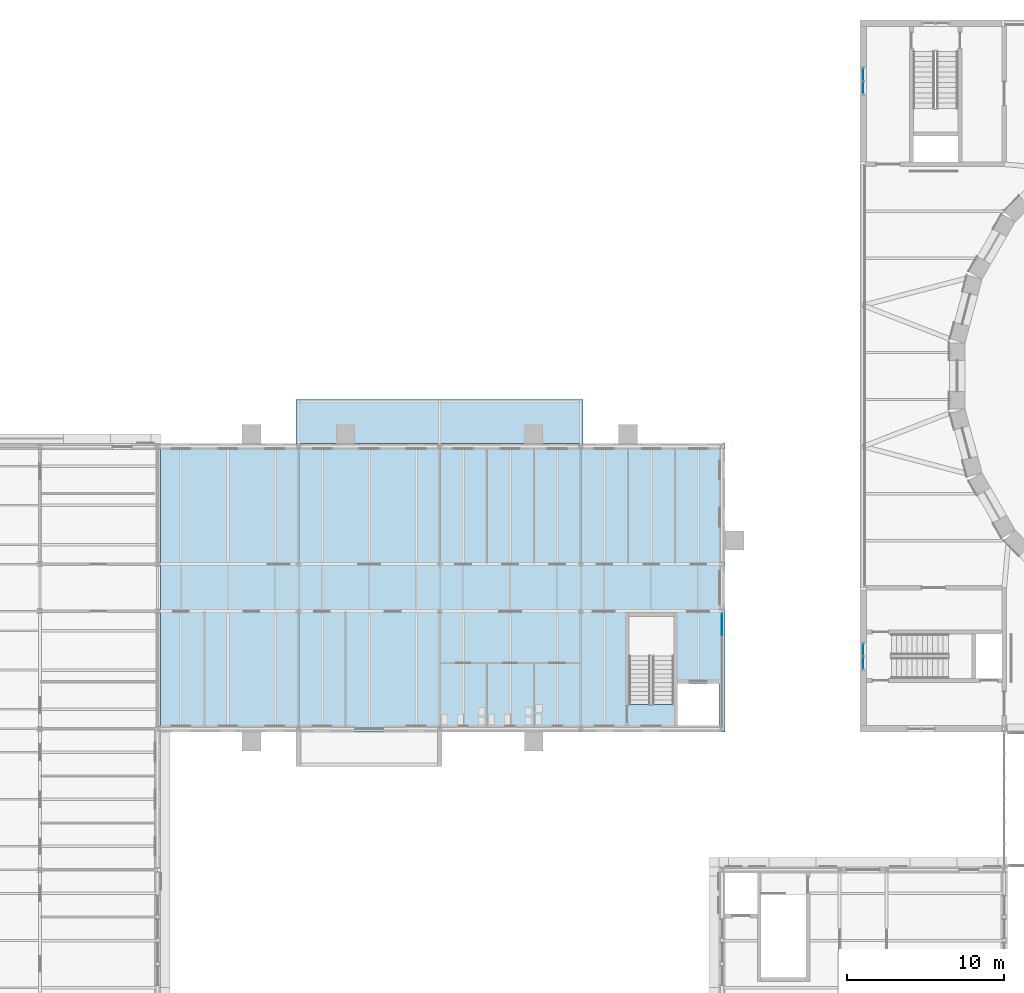
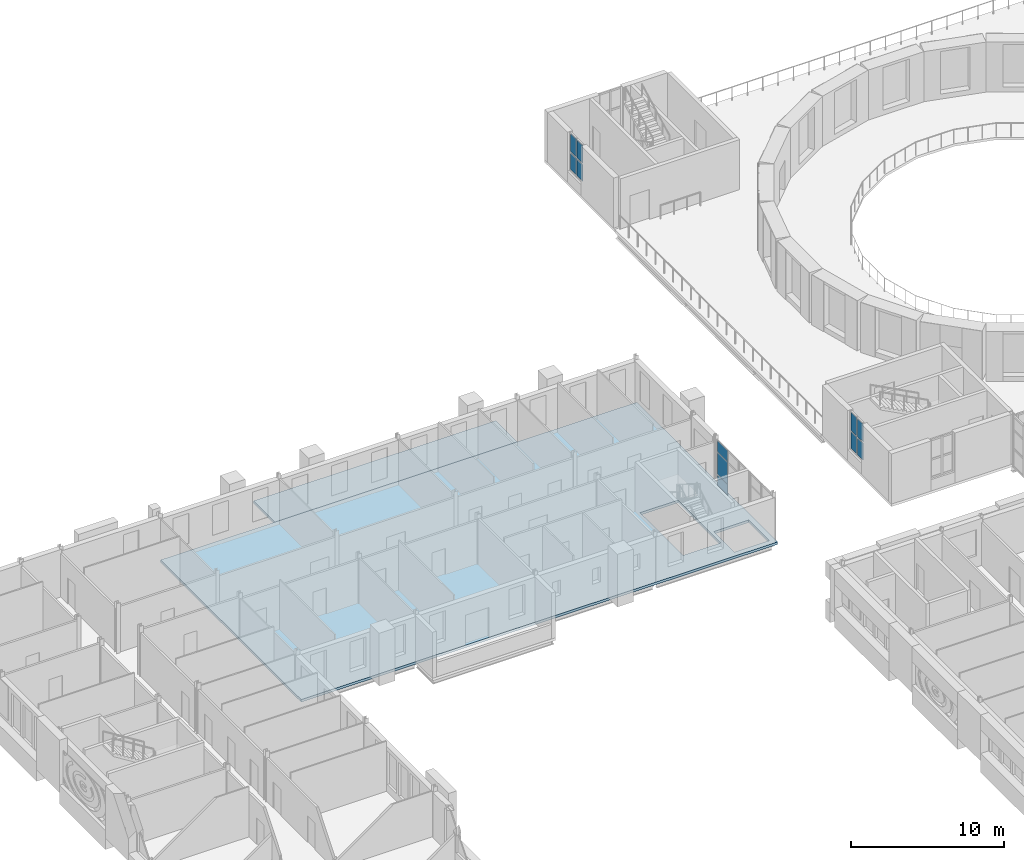
# One storey, part 92 of 154: 11 plates, 2 slabs, 3 elements without a shape of their own.
"""IFC4 building model written with IfcOpenShell, lengths in metres."""

import ifcopenshell
import ifcopenshell.guid

model = None  # the IFC model being written
_history = None  # IfcOwnerHistory: only IFC2X3 demands one
_inside = {}  # id of a spatial element -> (the spatial element, [elements in it])
_under = {}  # id of a project, library or spatial element -> (it, [spatial elements below it])
_declared = {}  # id of a project -> (the project, [libraries it declares])
_typed = {}  # id of a type object -> (the type object, [elements of that type])
_made_of = {}  # id of a material, layer set ... -> (it, [elements and type objects made of it])


def new_model(schema):
    """Start an empty IFC model of exactly this schema.

    Asked for "IFC4X3", IfcOpenShell would pick the latest addendum, in which some entities
    have other attributes; the version numbers below select the first issue.
    IFC2X3 requires an IfcOwnerHistory on every rooted entity: one is made here for all.
    """
    global model, _history
    if schema == "IFC4X3":
        model = ifcopenshell.file(schema_version=(4, 3, 0, 0))
    else:
        model = ifcopenshell.file(schema=schema)
    _inside.clear()
    _under.clear()
    _declared.clear()
    _typed.clear()
    _made_of.clear()
    _history = None
    if model.schema == "IFC2X3":
        org = make("IfcOrganization", Name="unknown")
        user = make(
            "IfcPersonAndOrganization",
            ThePerson=make("IfcPerson", FamilyName="unknown"),
            TheOrganization=org,
        )
        app = make(
            "IfcApplication",
            ApplicationDeveloper=org,
            Version="unknown",
            ApplicationFullName="unknown",
            ApplicationIdentifier="unknown",
        )
        _history = make(
            "IfcOwnerHistory",
            OwningUser=user,
            OwningApplication=app,
            ChangeAction="ADDED",
            CreationDate=0,
        )
    return model


def make(cls, **values):
    """One entity of the class cls with the attributes given. An attribute that is None is left unset."""
    return model.create_entity(
        cls, **{name: value for name, value in values.items() if value is not None}
    )


def rooted(cls, **values):
    """An entity with a GlobalId (a new one), such as an element, a storey or a relation."""
    return make(cls, GlobalId=ifcopenshell.guid.new(), OwnerHistory=_history, **values)


def si_unit(unit_type, name, prefix=None):
    """IfcSIUnit, for example si_unit("LENGTHUNIT", "METRE", prefix="MILLI")."""
    return make("IfcSIUnit", UnitType=unit_type, Prefix=prefix, Name=name)


def assignment(units):
    """IfcUnitAssignment: the units of a project."""
    return None if units is None else make("IfcUnitAssignment", Units=units)


def point(xyz):
    """IfcCartesianPoint."""
    return None if xyz is None else make("IfcCartesianPoint", Coordinates=xyz)


def direction(xyz):
    """IfcDirection."""
    return None if xyz is None else make("IfcDirection", DirectionRatios=xyz)


def frame(location, z_axis=None, x_axis=None):
    """IfcAxis2Placement3D, a coordinate frame: its origin and axes. An axis left out is left unset."""
    return make(
        "IfcAxis2Placement3D",
        Location=point(location),
        Axis=direction(z_axis),
        RefDirection=direction(x_axis),
    )


def frame_2d(location, x_axis=None):
    """IfcAxis2Placement2D, a coordinate frame in the plane: its origin and x axis."""
    return make(
        "IfcAxis2Placement2D", Location=point(location), RefDirection=direction(x_axis)
    )


def origin():
    """The frame at (0, 0, 0) with its axes left unset."""
    return frame((0.0, 0.0, 0.0))


def origin_2d():
    """The frame at (0, 0) in the plane with its x axis left unset."""
    return frame_2d((0.0, 0.0))


def place(relative_to, where):
    """IfcLocalPlacement: puts the frame where relative to a parent placement (None: the world)."""
    return make(
        "IfcLocalPlacement", PlacementRelTo=relative_to, RelativePlacement=where
    )


def context(
    kind, dimensions, precision=None, world=None, true_north=None, identifier=None
):
    """IfcGeometricRepresentationContext, for example the 3D "Model" context."""
    return make(
        "IfcGeometricRepresentationContext",
        ContextIdentifier=identifier,
        ContextType=kind,
        CoordinateSpaceDimension=dimensions,
        Precision=precision,
        WorldCoordinateSystem=world,
        TrueNorth=true_north,
    )


def subcontext(parent, identifier, kind, view, scale=None):
    """IfcGeometricRepresentationSubContext, for example "Body" below "Model"."""
    return make(
        "IfcGeometricRepresentationSubContext",
        ContextIdentifier=identifier,
        ContextType=kind,
        ParentContext=parent,
        TargetScale=scale,
        TargetView=view,
    )


def project(units=None, contexts=None):
    """IfcProject with its units and contexts."""
    return rooted(
        "IfcProject",
        Name="project",
        RepresentationContexts=contexts,
        UnitsInContext=assignment(units),
    )


def spatial(cls, under=None, at=None, **own):
    """A site, building, storey or space (cls), placed at a placement, below another one or the project."""
    s = rooted(cls, ObjectPlacement=at, **own)
    if under is not None:
        _under.setdefault(under.id(), (under, []))[1].append(s)
    return s


def polyline(points):
    """IfcPolyline through the points."""
    return make("IfcPolyline", Points=[point(p) for p in points])


def profile(cls, at=None, kind="AREA", **sizes):
    """A parametric profile (cls). Its sizes go by their IFC names, for example OverallWidth=200.0."""
    return make(cls, ProfileType=kind, Position=at, **sizes)


def rectangle(**sizes):
    """IfcRectangleProfileDef."""
    return profile("IfcRectangleProfileDef", **sizes)


def outline(outer, holes=None, kind="AREA"):
    """IfcArbitraryClosedProfileDef: a profile drawn as a closed curve; with holes, ...WithVoids."""
    if holes is None:
        return make("IfcArbitraryClosedProfileDef", ProfileType=kind, OuterCurve=outer)
    return make(
        "IfcArbitraryProfileDefWithVoids",
        ProfileType=kind,
        OuterCurve=outer,
        InnerCurves=holes,
    )


def extrude(swept, where, along, depth):
    """IfcExtrudedAreaSolid: the profile swept, set in the frame where, extruded along a direction by depth."""
    return make(
        "IfcExtrudedAreaSolid",
        SweptArea=swept,
        Position=where,
        ExtrudedDirection=direction(along),
        Depth=depth,
    )


def shape(context_of_items, identifier, shape_type, items):
    """IfcShapeRepresentation: the items that make up one representation, for example the "Body"."""
    return make(
        "IfcShapeRepresentation",
        ContextOfItems=context_of_items,
        RepresentationIdentifier=identifier,
        RepresentationType=shape_type,
        Items=items,
    )


def material(Name=None, Category=None):
    """IfcMaterial."""
    return make("IfcMaterial", Name=Name, Category=Category)


def layer(
    of_material, thickness, ventilated=None, Name=None, Category=None, Priority=None
):
    """IfcMaterialLayer: one layer of a wall or slab, of a material (None: an air gap)."""
    return make(
        "IfcMaterialLayer",
        Material=of_material,
        LayerThickness=thickness,
        IsVentilated=ventilated,
        Name=Name,
        Category=Category,
        Priority=Priority,
    )


def layer_set(layers, Name=None):
    """IfcMaterialLayerSet."""
    return make("IfcMaterialLayerSet", MaterialLayers=layers, LayerSetName=Name)


def made_of(thing, what):
    """Note that an element or type object is made of a material, layer set ...; save() writes the relation."""
    if what is not None:
        _made_of.setdefault(what.id(), (what, []))[1].append(thing)
    return thing


def type_object(cls, material=None, **own):
    """A type object (cls), such as IfcWallType, which elements share."""
    return made_of(rooted(cls, **own), material)


def element(
    cls,
    number,
    at=None,
    inside=None,
    cuts=None,
    type_object=None,
    material=None,
    context=None,
    identifier="Body",
    shape_type=None,
    held_by="IfcProductDefinitionShape",
    body=None,
    shapes=None,
    **own,
):
    """One element of the class cls, such as IfcWall. Its Tag is "e" and its number.

    at: its placement. inside: the storey or other place that contains it. cuts: it is an
    opening in that element (IfcRelVoidsElement). A single representation is given by context,
    identifier, shape_type and body (its items); several are given by shapes. held_by: the class
    of the entity that holds the representations. save() writes the other relations.
    """
    e = rooted(cls, Tag="e%d" % number, ObjectPlacement=at, **own)
    if body is not None:
        shapes = [shape(context, identifier, shape_type, body)]
    if shapes is not None:
        e.Representation = make(held_by, Representations=shapes)
    if inside is not None:
        _inside.setdefault(inside.id(), (inside, []))[1].append(e)
    if cuts is not None:
        rooted(
            "IfcRelVoidsElement", RelatingBuildingElement=cuts, RelatedOpeningElement=e
        )
    if type_object is not None:
        _typed.setdefault(type_object.id(), (type_object, []))[1].append(e)
    return made_of(e, material)


def aggregate(whole, parts):
    """IfcRelAggregates: a whole, such as a stair, and the parts it consists of."""
    return rooted("IfcRelAggregates", RelatingObject=whole, RelatedObjects=parts)


def save(model, path):
    """Write the relations noted so far, then the file.

    IfcRelAggregates (storeys below a building ...), IfcRelContainedInSpatialStructure (elements
    in a storey), IfcRelDefinesByType, IfcRelAssociatesMaterial and IfcRelDeclares: one each for
    every whole, place, type object, material and project.
    """
    for whole, parts in _under.values():
        aggregate(whole, parts)
    for where, things in _inside.values():
        rooted(
            "IfcRelContainedInSpatialStructure",
            RelatedElements=things,
            RelatingStructure=where,
        )
    for kind, things in _typed.values():
        rooted("IfcRelDefinesByType", RelatedObjects=things, RelatingType=kind)
    for what, things in _made_of.values():
        rooted("IfcRelAssociatesMaterial", RelatedObjects=things, RelatingMaterial=what)
    for by, libraries in _declared.values():
        rooted("IfcRelDeclares", RelatingContext=by, RelatedDefinitions=libraries)
    model.write(path)


model = new_model("IFC4")

# Units and contexts
model_context = context("Model", 3, precision=1e-05, world=origin(), true_north=direction((0.0, 1.0)))
body_context = subcontext(model_context, "Body", "Model", "MODEL_VIEW")
ifc_project = project(units=[si_unit("LENGTHUNIT", "METRE"), si_unit("AREAUNIT", "SQUARE_METRE"), si_unit("VOLUMEUNIT", "CUBIC_METRE"), si_unit("PLANEANGLEUNIT", "RADIAN"), si_unit("MASSUNIT", "GRAM", prefix="KILO")], contexts=[model_context])

# Site, building, storey
site_placement = place(None, origin())
site = spatial("IfcSite", under=ifc_project, at=site_placement, CompositionType="ELEMENT")
building_placement = place(site_placement, origin())
building = spatial("IfcBuilding", under=site, at=building_placement, Name="Golden Quay Civic Hall", CompositionType="ELEMENT")
storey_placement = place(building_placement, frame((0.0, 0.0, 14.39990234375)))
storey = spatial("IfcBuildingStorey", under=building, at=storey_placement, Name="L03", CompositionType="ELEMENT", Elevation=14.39990234375)

# Slab
ifc_material_1 = material(Name="Concrete C35/45", Category="concrete")
ifc_layer_1 = layer(ifc_material_1, 0.199951171875)
ifc_layer_set_1 = layer_set([ifc_layer_1], Name="Composite floor 200")
slab_type_1 = type_object("IfcSlabType", Name="Composite floor 200", PredefinedType="FLOOR", material=ifc_layer_set_1)
slab_1_placement = place(storey_placement, frame((0.0, 0.0, -0.199951171875)))
element("IfcSlab", 1, at=slab_1_placement, inside=storey, type_object=slab_type_1, Name="NW floor L03", PredefinedType="FLOOR", context=body_context, shape_type="SweptSolid", body=[
    extrude(outline(polyline([(18.199951171875, 62.800048828125), (18.199951171875, 81.199951171875), (54.199951171875, 81.199951171875), (54.199951171875, 62.800048828125), (18.199951171875, 62.800048828125)]), holes=[polyline([(48.074951171875, 70.175048828125), (48.074951171875, 64.554931640625), (50.925048828125, 64.554931640625), (50.925048828125, 70.175048828125), (48.074951171875, 70.175048828125)]), polyline([(53.800048828125, 65.89990234375), (51.175048828125, 65.89990234375), (51.175048828125, 63.199951171875), (53.800048828125, 63.199951171875), (53.800048828125, 65.89990234375)])]), origin(), (0.0, 0.0, 1.0), 0.199951171875),
])

# Curtain wall, plates
ifc_material_2 = material(Name="Glass, laminated double glazed", Category="glass")
ifc_layer_2 = layer(ifc_material_2, 0.199951171875)
ifc_layer_set_2 = layer_set([ifc_layer_2], Name="Glazed core strip curtain wall")
curtain_wall_type_1 = type_object("IfcCurtainWallType", Name="Glazed core strip curtain wall", PredefinedType="NOTDEFINED", material=ifc_layer_set_2)
curtain_wall_1_placement = place(storey_placement, origin())
curtain_wall_1 = element("IfcCurtainWall", 2, at=curtain_wall_1_placement, inside=storey, type_object=curtain_wall_type_1, Name="Glazed core strip curtain wall L03 2", PredefinedType="NOTDEFINED")
ifc_material_3 = material(Name="Glass, laminated double glazed", Category="glass")
ifc_layer_3 = layer(ifc_material_3, 0.028076171875)
ifc_layer_set_3 = layer_set([ifc_layer_3], Name="Double glazed curtain wall panel 28")
plate_type_1 = type_object("IfcPlateType", Name="Double glazed curtain wall panel 28", PredefinedType="CURTAIN_PANEL", material=ifc_layer_set_3)
plate_1_placement = place(storey_placement, frame((54.0, 69.64306640625, 0.06005859375), z_axis=(0.0, 0.0, 1.0), x_axis=(0.0, -1.0, 0.0)))
plate_1 = element("IfcPlate", 3, at=plate_1_placement, type_object=plate_type_1, Name="CW2 panel 1.1", PredefinedType="CURTAIN_PANEL", context=body_context, shape_type="SweptSolid", body=[
    extrude(rectangle(XDim=1.364013671875, YDim=0.028076171875, at=origin_2d()), origin(), (0.0, 0.0, 1.0), 0.81005859375),
])
plate_2_placement = place(storey_placement, frame((54.0, 69.64306640625, 0.93017578125), z_axis=(0.0, 0.0, 1.0), x_axis=(0.0, -1.0, 0.0)))
plate_2 = element("IfcPlate", 4, at=plate_2_placement, type_object=plate_type_1, Name="CW2 panel 1.2", PredefinedType="CURTAIN_PANEL", context=body_context, shape_type="SweptSolid", body=[
    extrude(rectangle(XDim=1.364013671875, YDim=0.028076171875, at=origin_2d()), origin(), (0.0, 0.0, 1.0), 1.739990234375),
])
plate_3_placement = place(storey_placement, frame((54.0, 69.64306640625, 2.730224609375), z_axis=(0.0, 0.0, 1.0), x_axis=(0.0, -1.0, 0.0)))
plate_3 = element("IfcPlate", 5, at=plate_3_placement, type_object=plate_type_1, Name="CW2 panel 1.3", PredefinedType="CURTAIN_PANEL", context=body_context, shape_type="SweptSolid", body=[
    extrude(rectangle(XDim=1.364013671875, YDim=0.028076171875, at=origin_2d()), origin(), (0.0, 0.0, 1.0), 0.8798828125),
])
aggregate(curtain_wall_1, [plate_1, plate_2, plate_3])

ifc_material_4 = material(Name="Fire-resisting glass and steel", Category="steel")
curtain_wall_type_2 = type_object("IfcCurtainWallType", Name="Fire-resisting glazed stair curtain wall EI 120", PredefinedType="NOTDEFINED", material=ifc_material_4)
curtain_wall_2_placement = place(storey_placement, origin())
curtain_wall_2 = element("IfcCurtainWall", 6, at=curtain_wall_2_placement, inside=storey, type_object=curtain_wall_type_2, Name="CW4 stair curtain wall", PredefinedType="NOTDEFINED")
ifc_material_5 = material(Name="Fire-resisting laminated glass", Category="glass")
ifc_layer_4 = layer(ifc_material_5, 0.0400390625)
ifc_layer_set_4 = layer_set([ifc_layer_4], Name="Fire-resisting glazed stair panel 40")
plate_type_2 = type_object("IfcPlateType", Name="Fire-resisting glazed stair panel 40", PredefinedType="CURTAIN_PANEL", material=ifc_layer_set_4)
plate_4_placement = place(storey_placement, frame((63.0, 67.205078125, 1.02001953125), z_axis=(0.0, 0.0, 1.0), x_axis=(0.0, 1.0, 0.0)))
plate_4 = element("IfcPlate", 7, at=plate_4_placement, type_object=plate_type_2, Name="CW4 panel 1.1", PredefinedType="CURTAIN_PANEL", context=body_context, shape_type="SweptSolid", body=[
    extrude(rectangle(XDim=0.719970703125, YDim=0.0400390625, at=origin_2d()), origin(), (0.0, 0.0, 1.0), 1.320068359375),
])
plate_5_placement = place(storey_placement, frame((63.0, 67.205078125, 2.460205078125), z_axis=(0.0, 0.0, 1.0), x_axis=(0.0, 1.0, 0.0)))
plate_5 = element("IfcPlate", 8, at=plate_5_placement, type_object=plate_type_2, Name="CW4 panel 1.2", PredefinedType="CURTAIN_PANEL", context=body_context, shape_type="SweptSolid", body=[
    extrude(rectangle(XDim=0.719970703125, YDim=0.0400390625, at=origin_2d()), origin(), (0.0, 0.0, 1.0), 1.419921875),
])
plate_6_placement = place(storey_placement, frame((63.0, 68.044921875, 1.02001953125), z_axis=(0.0, 0.0, 1.0), x_axis=(0.0, 1.0, 0.0)))
plate_6 = element("IfcPlate", 9, at=plate_6_placement, type_object=plate_type_2, Name="CW4 panel 2.1", PredefinedType="CURTAIN_PANEL", context=body_context, shape_type="SweptSolid", body=[
    extrude(rectangle(XDim=0.719970703125, YDim=0.0400390625, at=origin_2d()), origin(), (0.0, 0.0, 1.0), 1.320068359375),
])
plate_7_placement = place(storey_placement, frame((63.0, 68.044921875, 2.460205078125), z_axis=(0.0, 0.0, 1.0), x_axis=(0.0, 1.0, 0.0)))
plate_7 = element("IfcPlate", 10, at=plate_7_placement, type_object=plate_type_2, Name="CW4 panel 2.2", PredefinedType="CURTAIN_PANEL", context=body_context, shape_type="SweptSolid", body=[
    extrude(rectangle(XDim=0.719970703125, YDim=0.0400390625, at=origin_2d()), origin(), (0.0, 0.0, 1.0), 1.419921875),
])
aggregate(curtain_wall_2, [plate_4, plate_5, plate_6, plate_7])

curtain_wall_3_placement = place(storey_placement, origin())
curtain_wall_3 = element("IfcCurtainWall", 11, at=curtain_wall_3_placement, inside=storey, type_object=curtain_wall_type_2, Name="CW4 stair curtain wall", PredefinedType="NOTDEFINED")
plate_8_placement = place(storey_placement, frame((63.0, 103.8798828125, 1.02001953125), z_axis=(0.0, 0.0, 1.0), x_axis=(0.0, 1.0, 0.0)))
plate_8 = element("IfcPlate", 12, at=plate_8_placement, type_object=plate_type_2, Name="CW4 panel 1.1", PredefinedType="CURTAIN_PANEL", context=body_context, shape_type="SweptSolid", body=[
    extrude(rectangle(XDim=0.719970703125, YDim=0.0400390625, at=origin_2d()), origin(), (0.0, 0.0, 1.0), 1.320068359375),
])
plate_9_placement = place(storey_placement, frame((63.0, 103.8798828125, 2.460205078125), z_axis=(0.0, 0.0, 1.0), x_axis=(0.0, 1.0, 0.0)))
plate_9 = element("IfcPlate", 13, at=plate_9_placement, type_object=plate_type_2, Name="CW4 panel 1.2", PredefinedType="CURTAIN_PANEL", context=body_context, shape_type="SweptSolid", body=[
    extrude(rectangle(XDim=0.719970703125, YDim=0.0400390625, at=origin_2d()), origin(), (0.0, 0.0, 1.0), 1.419921875),
])
plate_10_placement = place(storey_placement, frame((63.0, 104.719970703125, 1.02001953125), z_axis=(0.0, 0.0, 1.0), x_axis=(0.0, 1.0, 0.0)))
plate_10 = element("IfcPlate", 14, at=plate_10_placement, type_object=plate_type_2, Name="CW4 panel 2.1", PredefinedType="CURTAIN_PANEL", context=body_context, shape_type="SweptSolid", body=[
    extrude(rectangle(XDim=0.719970703125, YDim=0.0400390625, at=origin_2d()), origin(), (0.0, 0.0, 1.0), 1.320068359375),
])
plate_11_placement = place(storey_placement, frame((63.0, 104.719970703125, 2.460205078125), z_axis=(0.0, 0.0, 1.0), x_axis=(0.0, 1.0, 0.0)))
plate_11 = element("IfcPlate", 15, at=plate_11_placement, type_object=plate_type_2, Name="CW4 panel 2.2", PredefinedType="CURTAIN_PANEL", context=body_context, shape_type="SweptSolid", body=[
    extrude(rectangle(XDim=0.719970703125, YDim=0.0400390625, at=origin_2d()), origin(), (0.0, 0.0, 1.0), 1.419921875),
])
aggregate(curtain_wall_3, [plate_8, plate_9, plate_10, plate_11])

# Slab
ifc_material_6 = material(Name="Concrete C35/45", Category="concrete")
ifc_layer_5 = layer(ifc_material_6, 0.199951171875)
ifc_layer_set_5 = layer_set([ifc_layer_5], Name="Loggia roof slab 200")
slab_type_2 = type_object("IfcSlabType", Name="Loggia roof slab 200", PredefinedType="ROOF", material=ifc_layer_set_5)
slab_2_placement = place(storey_placement, frame((0.0, 0.0, -0.199951171875)))
element("IfcSlab", 16, at=slab_2_placement, inside=storey, type_object=slab_type_2, Name="Loggia roof slab 200 L03 1", PredefinedType="ROOF", context=body_context, shape_type="SweptSolid", body=[
    extrude(outline(polyline([(26.85009765625, 81.199951171875), (45.14990234375, 81.199951171875), (45.14990234375, 84.0), (26.85009765625, 84.0), (26.85009765625, 81.199951171875)])), origin(), (0.0, 0.0, 1.0), 0.199951171875),
])

save(model, "model.ifc")
